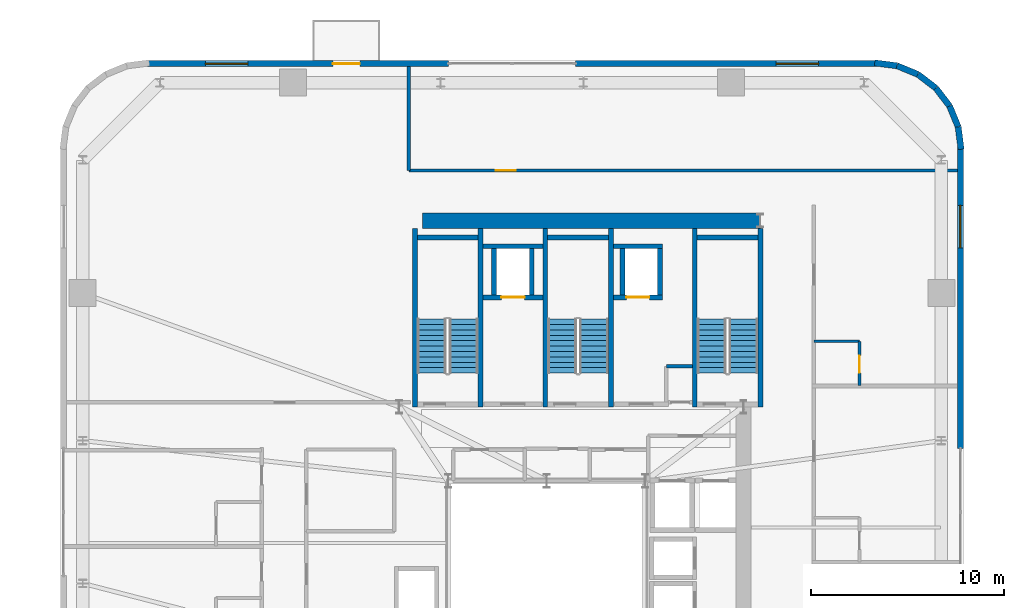
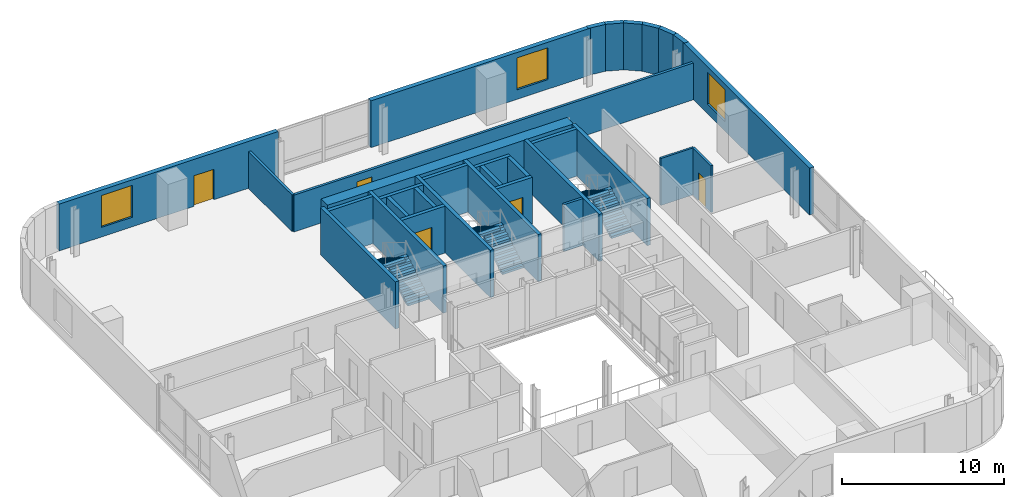
# One storey, part 11 of 15: 32 walls, 6 stair flights, 5 doors, 3 windows, 8 openings, 3 elements without a shape of their own.
"""IFC4 building model written with IfcOpenShell, lengths in metres."""

from ifc_helpers import new_model, si_unit, direction, frame, frame_2d, origin, place, context, subcontext, project, spatial, polyline, rectangle, outline, extrude, source, transform, mapped, material, layer, layer_set, type_object, element, fill, aggregate, save


model = new_model("IFC4")

# Units and contexts
model_context = context("Model", 3, precision=1e-05, world=origin(), true_north=direction((0.0, 1.0)))
body_context = subcontext(model_context, "Body", "Model", "MODEL_VIEW")
ifc_project = project(units=[si_unit("LENGTHUNIT", "METRE"), si_unit("AREAUNIT", "SQUARE_METRE"), si_unit("VOLUMEUNIT", "CUBIC_METRE"), si_unit("PLANEANGLEUNIT", "RADIAN"), si_unit("MASSUNIT", "GRAM", prefix="KILO")], contexts=[model_context])

# Site, building, storey
site_placement = place(None, origin())
site = spatial("IfcSite", under=ifc_project, at=site_placement, CompositionType="ELEMENT")
building_placement = place(site_placement, origin())
building = spatial("IfcBuilding", under=site, at=building_placement, Name="Vardaveli Station Tower", CompositionType="ELEMENT")
storey_placement = place(building_placement, frame((0.0, 0.0, 207.300048828125)))
storey = spatial("IfcBuildingStorey", under=building, at=storey_placement, Name="L53", CompositionType="ELEMENT", Elevation=207.300048828125)

# Wall
ifc_material_1 = material(Name="Concrete C50/60", Category="concrete")
ifc_layer_1 = layer(ifc_material_1, 0.800048828125, Name="Concrete C50/60")
ifc_layer_set_1 = layer_set([ifc_layer_1], Name="Concrete C50/60")
wall_type_1 = type_object("IfcWallType", Name="WAL-CORE-800", PredefinedType="SHEAR", material=ifc_layer_set_1)
shared_shape_1 = source(origin(), body_context, "Body", "SweptSolid", [
    extrude(rectangle(XDim=17.52001953125, YDim=0.800048828125, at=frame_2d((8.760009765625, 0.0))), origin(), (0.0, 0.0, 1.0), 3.530029296875),
])
wall_1_placement = place(storey_placement, frame((29.85009765625, 40.300048828125, 0.0), z_axis=(0.0, 0.0, 1.0), x_axis=(1.0, 0.0, 0.0)))
element("IfcWall", 1, at=wall_1_placement, inside=storey, type_object=wall_type_1, Name="SW-L53-NORTH", PredefinedType="SHEAR", context=body_context, shape_type="MappedRepresentation", body=[
    mapped(shared_shape_1, transform((0.0, 0.0, 0.0), scale=1.0)),
])

# Wall, opening, window
ifc_material_2 = material(Name="Precast concrete C45/55", Category="concrete")
ifc_layer_2 = layer(ifc_material_2, 0.320068359375, Name="Precast concrete C45/55")
ifc_layer_set_2 = layer_set([ifc_layer_2], Name="Precast concrete C45/55")
wall_type_2 = type_object("IfcWallType", Name="WAL-EXT-STONE-320", PredefinedType="SOLIDWALL", material=ifc_layer_set_2)
shared_shape_2 = source(origin(), body_context, "Body", "SweptSolid", [
    extrude(rectangle(XDim=15.599853515625, YDim=0.320068359375, at=frame_2d((7.7998046875, 0.0))), origin(), (0.0, 0.0, 1.0), 3.530029296875),
])
wall_2_placement = place(storey_placement, frame((53.39990234375, 48.43994140625, 0.0), z_axis=(0.0, 0.0, 1.0), x_axis=(-1.0, 0.0, 0.0)))
wall_2 = element("IfcWall", 2, at=wall_2_placement, inside=storey, type_object=wall_type_2, Name="EW-L53-N1", PredefinedType="SOLIDWALL", context=body_context, shape_type="MappedRepresentation", body=[
    mapped(shared_shape_2, transform((0.0, 0.0, 0.0), scale=1.0)),
])
shared_shape_3 = source(origin(), body_context, "Body", "SweptSolid", [
    extrude(rectangle(XDim=2.199951171875, YDim=2.39990234375, at=frame_2d((1.10009765625, 1.199951171875))), frame((0.0, 0.169921875, 0.0), z_axis=(0.0, -1.0, 0.0), x_axis=(1.0, 0.0, 0.0)), (0.0, 0.0, 1.0), 0.340087890625),
])
opening_1_placement = place(wall_2_placement, frame((3.0048828125, 0.0, 0.719970703125)))
opening_1 = element("IfcOpeningElement", 3, at=opening_1_placement, cuts=wall_2, Name="Opening W-03", PredefinedType="OPENING", context=body_context, shape_type="MappedRepresentation", body=[
    mapped(shared_shape_3, transform((0.0, 0.0, 0.0), scale=1.0)),
])
ifc_material_3 = material(Name="Low-E solar-control glass", Category="glass")
window_type = type_object("IfcWindowType", Name="WIN-LOG-2200x2400", PartitioningType="SINGLE_PANEL", PredefinedType="WINDOW", material=ifc_material_3)
shared_shape_4 = source(origin(), body_context, "Body", "SweptSolid", [
    extrude(rectangle(XDim=2.199951171875, YDim=2.39990234375, at=frame_2d((1.10009765625, 1.199951171875))), frame((0.0, 0.030029296875, 0.0), z_axis=(0.0, -1.0, 0.0), x_axis=(1.0, 0.0, 0.0)), (0.0, 0.0, 1.0), 0.06005859375),
])
window_1_placement = place(opening_1_placement, origin())
window_1 = element("IfcWindow", 4, at=window_1_placement, inside=storey, type_object=window_type, Name="WN-L53-N1", OverallHeight=2.39990234375, OverallWidth=2.199951171875, PartitioningType="SINGLE_PANEL", PredefinedType="WINDOW", context=body_context, shape_type="MappedRepresentation", body=[
    mapped(shared_shape_4, transform((0.0, 0.0, 0.0), scale=1.0)),
])
fill(opening_1, window_1)

# Wall, openings, door, window
wall_3_placement = place(storey_placement, frame((31.199951171875, 48.43994140625, 0.0), z_axis=(0.0, 0.0, 1.0), x_axis=(-1.0, 0.0, 0.0)))
wall_3 = element("IfcWall", 5, at=wall_3_placement, inside=storey, type_object=wall_type_2, Name="EW-L53-N2", PredefinedType="SOLIDWALL", context=body_context, shape_type="MappedRepresentation", body=[
    mapped(shared_shape_2, transform((0.0, 0.0, 0.0), scale=1.0)),
])
shared_shape_5 = source(origin(), body_context, "Body", "SweptSolid", [
    extrude(rectangle(XDim=1.39990234375, YDim=2.300048828125, at=frame_2d((0.699951171875, 1.14990234375))), frame((0.0, 0.169921875, 0.0), z_axis=(0.0, -1.0, 0.0), x_axis=(1.0, 0.0, 0.0)), (0.0, 0.0, 1.0), 0.340087890625),
])
opening_2_placement = place(wall_3_placement, frame((4.589599609375, 0.0, 0.0)))
opening_2 = element("IfcOpeningElement", 6, at=opening_2_placement, cuts=wall_3, Name="Opening D-09", PredefinedType="OPENING", context=body_context, shape_type="MappedRepresentation", body=[
    mapped(shared_shape_5, transform((0.0, 0.0, 0.0), scale=1.0)),
])
opening_3_placement = place(wall_3_placement, frame((10.39501953125, 0.0, 0.719970703125)))
opening_3 = element("IfcOpeningElement", 7, at=opening_3_placement, cuts=wall_3, Name="Opening W-03", PredefinedType="OPENING", context=body_context, shape_type="MappedRepresentation", body=[
    mapped(shared_shape_3, transform((0.0, 0.0, 0.0), scale=1.0)),
])
ifc_material_4 = material(Name="Thermally broken aluminium glass", Category="aluminium")
door_type_1 = type_object("IfcDoorType", Name="DR-LOG-1400x2300", OperationType="DOUBLE_DOOR_SLIDING", PredefinedType="DOOR", material=ifc_material_4)
shared_shape_6 = source(origin(), body_context, "Body", "SweptSolid", [
    extrude(rectangle(XDim=1.39990234375, YDim=2.300048828125, at=frame_2d((0.699951171875, 1.14990234375))), frame((0.0, 0.02490234375, 0.0), z_axis=(0.0, -1.0, 0.0), x_axis=(1.0, 0.0, 0.0)), (0.0, 0.0, 1.0), 0.050048828125),
])
door_1_placement = place(opening_2_placement, frame((1.39990234375, 0.0, 0.0), z_axis=(0.0, 0.0, 1.0), x_axis=(-1.0, 0.0, 0.0)))
door_1 = element("IfcDoor", 8, at=door_1_placement, inside=storey, type_object=door_type_1, Name="DLG-L53-N", OperationType="DOUBLE_DOOR_SLIDING", OverallHeight=2.300048828125, OverallWidth=1.39990234375, PredefinedType="DOOR", context=body_context, shape_type="MappedRepresentation", body=[
    mapped(shared_shape_6, transform((0.0, 0.0, 0.0), scale=1.0)),
])
fill(opening_2, door_1)
window_2_placement = place(opening_3_placement, origin())
window_2 = element("IfcWindow", 9, at=window_2_placement, inside=storey, type_object=window_type, Name="WN-L53-N2", OverallHeight=2.39990234375, OverallWidth=2.199951171875, PartitioningType="SINGLE_PANEL", PredefinedType="WINDOW", context=body_context, shape_type="MappedRepresentation", body=[
    mapped(shared_shape_4, transform((0.0, 0.0, 0.0), scale=1.0)),
])
fill(opening_3, window_2)

# Wall, opening, window
shared_shape_7 = source(origin(), body_context, "Body", "SweptSolid", [
    extrude(rectangle(XDim=15.60009765625, YDim=0.320068359375, at=frame_2d((7.800048828125, 0.0))), origin(), (0.0, 0.0, 1.0), 3.530029296875),
])
wall_4_placement = place(storey_placement, frame((57.739990234375, 28.5, 0.0), z_axis=(0.0, 0.0, 1.0), x_axis=(0.0, 1.0, 0.0)))
wall_4 = element("IfcWall", 10, at=wall_4_placement, inside=storey, type_object=wall_type_2, Name="EW-L53-E2", PredefinedType="SOLIDWALL", context=body_context, shape_type="MappedRepresentation", body=[
    mapped(shared_shape_7, transform((0.0, 0.0, 0.0), scale=1.0)),
])
opening_4_placement = place(wall_4_placement, frame((10.39501953125, 0.0, 0.719970703125)))
opening_4 = element("IfcOpeningElement", 11, at=opening_4_placement, cuts=wall_4, Name="Opening W-03", PredefinedType="OPENING", context=body_context, shape_type="MappedRepresentation", body=[
    mapped(shared_shape_3, transform((0.0, 0.0, 0.0), scale=1.0)),
])
window_3_placement = place(opening_4_placement, origin())
window_3 = element("IfcWindow", 12, at=window_3_placement, inside=storey, type_object=window_type, Name="WN-L53-E2", OverallHeight=2.39990234375, OverallWidth=2.199951171875, PartitioningType="SINGLE_PANEL", PredefinedType="WINDOW", context=body_context, shape_type="MappedRepresentation", body=[
    mapped(shared_shape_4, transform((0.0, 0.0, 0.0), scale=1.0)),
])
fill(opening_4, window_3)

# Walls
shared_shape_8 = source(origin(), body_context, "Body", "SweptSolid", [
    extrude(rectangle(XDim=1.1689453125, YDim=0.320068359375, at=frame_2d((0.58447265625, 0.0))), origin(), (0.0, 0.0, 1.0), 3.530029296875),
])
wall_5_placement = place(storey_placement, frame((57.179931640625, 46.2412109375, 0.0), z_axis=(0.0, 0.0, 1.0), x_axis=(-0.608387696831, 0.793639975269, 0.0)))
element("IfcWall", 13, at=wall_5_placement, inside=storey, type_object=wall_type_2, Name="EW-L53-CR3-3", PredefinedType="SOLIDWALL", context=body_context, shape_type="MappedRepresentation", body=[
    mapped(shared_shape_8, transform((0.0, 0.0, 0.0), scale=1.0)),
])
shared_shape_9 = source(origin(), body_context, "Body", "SweptSolid", [
    extrude(rectangle(XDim=1.168701171875, YDim=0.320068359375, at=frame_2d((0.58447265625, 0.0))), origin(), (0.0, 0.0, 1.0), 3.530029296875),
])
wall_6_placement = place(storey_placement, frame((56.46875, 47.1689453125, 0.0), z_axis=(0.0, 0.0, 1.0), x_axis=(-0.793663520347, 0.608356981114, 0.0)))
element("IfcWall", 14, at=wall_6_placement, inside=storey, type_object=wall_type_2, Name="EW-L53-CR3-4", PredefinedType="SOLIDWALL", context=body_context, shape_type="MappedRepresentation", body=[
    mapped(shared_shape_9, transform((0.0, 0.0, 0.0), scale=1.0)),
])
shared_shape_10 = source(origin(), body_context, "Body", "SweptSolid", [
    extrude(rectangle(XDim=1.17041015625, YDim=0.320068359375, at=frame_2d((0.585205078125, 0.0))), origin(), (0.0, 0.0, 1.0), 3.530029296875),
])
for number, where, z_axis, x_axis, name in (
    (15, (57.775634765625, 43.99951171875, 0.0), (0.0, 0.0, 1.0), (-0.128295670475, 0.991735963317, 0.0), "EW-L53-CR3-1"),
    (16, (54.460205078125, 48.325439453125, 0.0), (0.0, 0.0, 1.0), (-0.991735963317, 0.128295670475, 0.0), "EW-L53-CR3-6"),
):
    element("IfcWall", number, at=place(storey_placement, frame(where, z_axis=z_axis, x_axis=x_axis)), inside=storey, type_object=wall_type_2, Name=name, PredefinedType="SOLIDWALL", context=body_context, shape_type="MappedRepresentation", body=[
        mapped(shared_shape_10, transform((0.0, 0.0, 0.0), scale=1.0)),
    ])
shared_shape_11 = source(origin(), body_context, "Body", "SweptSolid", [
    extrude(rectangle(XDim=1.169189453125, YDim=0.320068359375, at=frame_2d((0.58447265625, 0.0))), origin(), (0.0, 0.0, 1.0), 3.530029296875),
])
for number, where, z_axis, x_axis, name in (
    (17, (57.62548828125, 45.16015625, 0.0), (0.0, 0.0, 1.0), (-0.381054331552, 0.924552646638, 0.0), "EW-L53-CR3-2"),
    (18, (55.541259765625, 47.8798828125, 0.0), (0.0, 0.0, 1.0), (-0.924552646638, 0.381054331552, 0.0), "EW-L53-CR3-5"),
):
    element("IfcWall", number, at=place(storey_placement, frame(where, z_axis=z_axis, x_axis=x_axis)), inside=storey, type_object=wall_type_2, Name=name, PredefinedType="SOLIDWALL", context=body_context, shape_type="MappedRepresentation", body=[
        mapped(shared_shape_11, transform((0.0, 0.0, 0.0), scale=1.0)),
    ])
ifc_material_5 = material(Name="Concrete C40/50", Category="concrete")
ifc_layer_3 = layer(ifc_material_5, 0.25, Name="Concrete C40/50")
ifc_layer_set_3 = layer_set([ifc_layer_3], Name="Concrete C40/50")
wall_type_3 = type_object("IfcWallType", Name="WAL-SHAFT-250", PredefinedType="SOLIDWALL", material=ifc_layer_set_3)
shared_shape_12 = source(origin(), body_context, "Body", "SweptSolid", [
    extrude(rectangle(XDim=9.25, YDim=0.25, at=frame_2d((4.625, 0.0))), origin(), (0.0, 0.0, 1.0), 3.550048828125),
])
for number, where, z_axis, x_axis, name in (
    (19, (29.47509765625, 30.64990234375, 0.0), (0.0, 0.0, 1.0), (0.0, 1.0, 0.0), "W-L53-ST-1W"),
    (20, (32.875, 30.64990234375, 0.0), (0.0, 0.0, 1.0), (0.0, 1.0, 0.0), "W-L53-ST-1E"),
    (21, (36.22509765625, 30.64990234375, 0.0), (0.0, 0.0, 1.0), (0.0, 1.0, 0.0), "W-L53-ST-2W"),
    (22, (39.625, 30.64990234375, 0.0), (0.0, 0.0, 1.0), (0.0, 1.0, 0.0), "W-L53-ST-2E"),
    (23, (43.97509765625, 30.64990234375, 0.0), (0.0, 0.0, 1.0), (0.0, 1.0, 0.0), "W-L53-ST-3W"),
    (24, (47.375, 30.64990234375, 0.0), (0.0, 0.0, 1.0), (0.0, 1.0, 0.0), "W-L53-ST-3E"),
):
    element("IfcWall", number, at=place(storey_placement, frame(where, z_axis=z_axis, x_axis=x_axis)), inside=storey, type_object=wall_type_3, Name=name, PredefinedType="SOLIDWALL", context=body_context, shape_type="MappedRepresentation", body=[
        mapped(shared_shape_12, transform((0.0, 0.0, 0.0), scale=1.0)),
    ])
shared_shape_13 = source(origin(), body_context, "Body", "SweptSolid", [
    extrude(rectangle(XDim=3.14990234375, YDim=0.25, at=frame_2d((1.574951171875, 0.0))), origin(), (0.0, 0.0, 1.0), 3.550048828125),
])
for number, where, z_axis, x_axis, name in (
    (25, (29.60009765625, 39.425048828125, 0.0), (0.0, 0.0, 1.0), (1.0, 0.0, 0.0), "W-L53-ST-1N"),
    (26, (36.35009765625, 39.425048828125, 0.0), (0.0, 0.0, 1.0), (1.0, 0.0, 0.0), "W-L53-ST-2N"),
    (27, (44.10009765625, 39.425048828125, 0.0), (0.0, 0.0, 1.0), (1.0, 0.0, 0.0), "W-L53-ST-3N"),
):
    element("IfcWall", number, at=place(storey_placement, frame(where, z_axis=z_axis, x_axis=x_axis)), inside=storey, type_object=wall_type_3, Name=name, PredefinedType="SOLIDWALL", context=body_context, shape_type="MappedRepresentation", body=[
        mapped(shared_shape_13, transform((0.0, 0.0, 0.0), scale=1.0)),
    ])

# Wall, opening, door
shared_shape_14 = source(origin(), body_context, "Body", "SweptSolid", [
    extrude(rectangle(XDim=3.10009765625, YDim=0.25, at=frame_2d((1.550048828125, 0.0))), origin(), (0.0, 0.0, 1.0), 3.530029296875),
])
wall_7_placement = place(storey_placement, frame((33.0, 36.324951171875, 0.0), z_axis=(0.0, 0.0, 1.0), x_axis=(1.0, 0.0, 0.0)))
wall_7 = element("IfcWall", 28, at=wall_7_placement, inside=storey, type_object=wall_type_3, Name="SHW-FFL-01-L53-S", PredefinedType="SOLIDWALL", context=body_context, shape_type="MappedRepresentation", body=[
    mapped(shared_shape_14, transform((0.0, 0.0, 0.0), scale=1.0)),
])
shared_shape_15 = source(origin(), body_context, "Body", "SweptSolid", [
    extrude(rectangle(XDim=1.199951171875, YDim=2.25, at=frame_2d((0.60009765625, 1.125))), frame((0.0, 0.135009765625, 0.0), z_axis=(0.0, -1.0, 0.0), x_axis=(1.0, 0.0, 0.0)), (0.0, 0.0, 1.0), 0.27001953125),
])
opening_5_placement = place(wall_7_placement, frame((0.949951171875, 0.0, 0.0)))
opening_5 = element("IfcOpeningElement", 29, at=opening_5_placement, cuts=wall_7, Name="Opening LD-02", PredefinedType="OPENING", context=body_context, shape_type="MappedRepresentation", body=[
    mapped(shared_shape_15, transform((0.0, 0.0, 0.0), scale=1.0)),
])
ifc_material_6 = material(Name="Brushed stainless steel", Category="steel")
door_type_2 = type_object("IfcDoorType", Name="DR-LD-1200x2250", OperationType="DOUBLE_DOOR_SLIDING", PredefinedType="DOOR", material=ifc_material_6)
shared_shape_16 = source(origin(), body_context, "Body", "SweptSolid", [
    extrude(rectangle(XDim=1.199951171875, YDim=2.25, at=frame_2d((0.60009765625, 1.125))), frame((0.0, 0.02490234375, 0.0), z_axis=(0.0, -1.0, 0.0), x_axis=(1.0, 0.0, 0.0)), (0.0, 0.0, 1.0), 0.050048828125),
])
door_2_placement = place(opening_5_placement, origin())
door_2 = element("IfcDoor", 30, at=door_2_placement, inside=storey, type_object=door_type_2, Name="LD-FFL-01-L53", OperationType="DOUBLE_DOOR_SLIDING", OverallHeight=2.25, OverallWidth=1.199951171875, PredefinedType="DOOR", context=body_context, shape_type="MappedRepresentation", body=[
    mapped(shared_shape_16, transform((0.0, 0.0, 0.0), scale=1.0)),
])
fill(opening_5, door_2)

# Walls
wall_8_placement = place(storey_placement, frame((33.0, 38.97509765625, 0.0), z_axis=(0.0, 0.0, 1.0), x_axis=(1.0, 0.0, 0.0)))
element("IfcWall", 31, at=wall_8_placement, inside=storey, type_object=wall_type_3, Name="SHW-FFL-01-L53-N", PredefinedType="SOLIDWALL", context=body_context, shape_type="MappedRepresentation", body=[
    mapped(shared_shape_14, transform((0.0, 0.0, 0.0), scale=1.0)),
])
shared_shape_17 = source(origin(), body_context, "Body", "SweptSolid", [
    extrude(rectangle(XDim=2.400146484375, YDim=0.25, at=frame_2d((1.2001953125, 0.0))), origin(), (0.0, 0.0, 1.0), 3.530029296875),
])
for number, where, z_axis, x_axis, name in (
    (32, (33.574951171875, 36.449951171875, 0.0), (0.0, 0.0, 1.0), (0.0, 1.0, 0.0), "SHW-FFL-01-L53-W"),
    (33, (35.52490234375, 36.449951171875, 0.0), (0.0, 0.0, 1.0), (0.0, 1.0, 0.0), "SHW-FFL-01-L53-E"),
    (34, (40.22509765625, 36.449951171875, 0.0), (0.0, 0.0, 1.0), (0.0, 1.0, 0.0), "SHW-FFL-02-L53-W"),
    (35, (42.175048828125, 36.449951171875, 0.0), (0.0, 0.0, 1.0), (0.0, 1.0, 0.0), "SHW-FFL-02-L53-E"),
):
    element("IfcWall", number, at=place(storey_placement, frame(where, z_axis=z_axis, x_axis=x_axis)), inside=storey, type_object=wall_type_3, Name=name, PredefinedType="SOLIDWALL", context=body_context, shape_type="MappedRepresentation", body=[
        mapped(shared_shape_17, transform((0.0, 0.0, 0.0), scale=1.0)),
    ])

# Wall, opening, door
shared_shape_18 = source(origin(), body_context, "Body", "SweptSolid", [
    extrude(rectangle(XDim=2.550048828125, YDim=0.25, at=frame_2d((1.27490234375, 0.0))), origin(), (0.0, 0.0, 1.0), 3.530029296875),
])
wall_9_placement = place(storey_placement, frame((39.75, 36.324951171875, 0.0), z_axis=(0.0, 0.0, 1.0), x_axis=(1.0, 0.0, 0.0)))
wall_9 = element("IfcWall", 36, at=wall_9_placement, inside=storey, type_object=wall_type_3, Name="SHW-FFL-02-L53-S", PredefinedType="SOLIDWALL", context=body_context, shape_type="MappedRepresentation", body=[
    mapped(shared_shape_18, transform((0.0, 0.0, 0.0), scale=1.0)),
])
opening_6_placement = place(wall_9_placement, frame((0.675048828125, 0.0, 0.0)))
opening_6 = element("IfcOpeningElement", 37, at=opening_6_placement, cuts=wall_9, Name="Opening LD-02", PredefinedType="OPENING", context=body_context, shape_type="MappedRepresentation", body=[
    mapped(shared_shape_15, transform((0.0, 0.0, 0.0), scale=1.0)),
])
door_3_placement = place(opening_6_placement, origin())
door_3 = element("IfcDoor", 38, at=door_3_placement, inside=storey, type_object=door_type_2, Name="LD-FFL-02-L53", OperationType="DOUBLE_DOOR_SLIDING", OverallHeight=2.25, OverallWidth=1.199951171875, PredefinedType="DOOR", context=body_context, shape_type="MappedRepresentation", body=[
    mapped(shared_shape_16, transform((0.0, 0.0, 0.0), scale=1.0)),
])
fill(opening_6, door_3)

# Wall
wall_10_placement = place(storey_placement, frame((39.75, 38.97509765625, 0.0), z_axis=(0.0, 0.0, 1.0), x_axis=(1.0, 0.0, 0.0)))
element("IfcWall", 39, at=wall_10_placement, inside=storey, type_object=wall_type_3, Name="SHW-FFL-02-L53-N", PredefinedType="SOLIDWALL", context=body_context, shape_type="MappedRepresentation", body=[
    mapped(shared_shape_18, transform((0.0, 0.0, 0.0), scale=1.0)),
])

# Wall, opening, door
ifc_material_7 = material(Name="Fire-rated gypsum stud partition")
ifc_layer_4 = layer(ifc_material_7, 0.179931640625, Name="Fire-rated gypsum stud partition")
ifc_layer_set_4 = layer_set([ifc_layer_4], Name="Fire-rated gypsum stud partition")
wall_type_4 = type_object("IfcWallType", Name="WAL-CORR-180", PredefinedType="PARTITIONING", material=ifc_layer_set_4)
shared_shape_19 = source(origin(), body_context, "Body", "SweptSolid", [
    extrude(rectangle(XDim=28.427978515625, YDim=0.179931640625, at=frame_2d((14.2138671875, 0.0))), origin(), (0.0, 0.0, 1.0), 2.77197265625),
])
wall_11_placement = place(storey_placement, frame((29.14990234375, 42.89990234375, 0.0), z_axis=(0.0, 0.0, 1.0), x_axis=(1.0, 0.0, 0.0)))
wall_11 = element("IfcWall", 40, at=wall_11_placement, inside=storey, type_object=wall_type_4, Name="W-L53-NPS", PredefinedType="PARTITIONING", context=body_context, shape_type="MappedRepresentation", body=[
    mapped(shared_shape_19, transform((0.0, 0.0, 0.0), scale=1.0)),
])
shared_shape_20 = source(origin(), body_context, "Body", "SweptSolid", [
    extrude(rectangle(XDim=1.050048828125, YDim=2.199951171875, at=frame_2d((0.52490234375, 1.10009765625))), frame((0.0, 0.10009765625, 0.0), z_axis=(0.0, -1.0, 0.0), x_axis=(1.0, 0.0, 0.0)), (0.0, 0.0, 1.0), 0.199951171875),
])
opening_7_placement = place(wall_11_placement, frame((4.5, 0.0, 0.0)))
opening_7 = element("IfcOpeningElement", 41, at=opening_7_placement, cuts=wall_11, Name="Opening D-05", PredefinedType="OPENING", context=body_context, shape_type="MappedRepresentation", body=[
    mapped(shared_shape_20, transform((0.0, 0.0, 0.0), scale=1.0)),
])
ifc_material_8 = material(Name="Walnut veneer acoustic fire door")
door_type_3 = type_object("IfcDoorType", Name="DR-SUITE-1050x2200", OperationType="NOTDEFINED", PredefinedType="DOOR", material=ifc_material_8)
shared_shape_21 = source(origin(), body_context, "Body", "SweptSolid", [
    extrude(rectangle(XDim=1.050048828125, YDim=2.199951171875, at=frame_2d((0.52490234375, 1.10009765625))), frame((0.0, 0.02490234375, 0.0), z_axis=(0.0, -1.0, 0.0), x_axis=(1.0, 0.0, 0.0)), (0.0, 0.0, 1.0), 0.050048828125),
])
door_4_placement = place(opening_7_placement, origin())
door_4 = element("IfcDoor", 42, at=door_4_placement, inside=storey, type_object=door_type_3, Name="D-L53-NP1", OperationType="SINGLE_SWING_LEFT", OverallHeight=2.199951171875, OverallWidth=1.050048828125, PredefinedType="DOOR", context=body_context, shape_type="MappedRepresentation", body=[
    mapped(shared_shape_21, transform((0.0, 0.0, 0.0), scale=1.0)),
])
fill(opening_7, door_4)

# Walls
shared_shape_22 = source(origin(), body_context, "Body", "SweptSolid", [
    extrude(rectangle(XDim=5.378173828125, YDim=0.179931640625, at=frame_2d((2.68896484375, 0.0))), origin(), (0.0, 0.0, 1.0), 2.77197265625),
])
wall_12_placement = place(storey_placement, frame((29.14990234375, 42.89990234375, 0.0), z_axis=(0.0, 0.0, 1.0), x_axis=(0.0, 1.0, 0.0)))
element("IfcWall", 43, at=wall_12_placement, inside=storey, type_object=wall_type_4, Name="W-L53-NPW", PredefinedType="PARTITIONING", context=body_context, shape_type="MappedRepresentation", body=[
    mapped(shared_shape_22, transform((0.0, 0.0, 0.0), scale=1.0)),
])
ifc_material_9 = material(Name="Moisture-resistant stud partition")
ifc_layer_5 = layer(ifc_material_9, 0.14990234375, Name="Moisture-resistant stud partition")
ifc_layer_set_5 = layer_set([ifc_layer_5], Name="Moisture-resistant stud partition")
wall_type_5 = type_object("IfcWallType", Name="WAL-WET-150", PredefinedType="PARTITIONING", material=ifc_layer_set_5)
shared_shape_23 = source(origin(), body_context, "Body", "SweptSolid", [
    extrude(rectangle(XDim=2.360107421875, YDim=0.14990234375, at=frame_2d((1.18017578125, 0.0))), origin(), (0.0, 0.0, 1.0), 3.530029296875),
])
wall_13_placement = place(storey_placement, frame((50.14990234375, 34.047119140625, 0.0), z_axis=(0.0, 0.0, 1.0), x_axis=(1.0, 0.0, 0.0)))
element("IfcWall", 44, at=wall_13_placement, inside=storey, type_object=wall_type_5, Name="W-L53-BE3-N", PredefinedType="PARTITIONING", context=body_context, shape_type="MappedRepresentation", body=[
    mapped(shared_shape_23, transform((0.0, 0.0, 0.0), scale=1.0)),
])
shared_shape_24 = source(origin(), body_context, "Body", "SweptSolid", [
    extrude(rectangle(XDim=1.347900390625, YDim=0.179931640625, at=frame_2d((0.673828125, 0.0))), origin(), (0.0, 0.0, 1.0), 3.530029296875),
])
wall_14_placement = place(storey_placement, frame((42.5, 32.75, 0.0), z_axis=(0.0, 0.0, 1.0), x_axis=(1.0, 0.0, 0.0)))
element("IfcWall", 45, at=wall_14_placement, inside=storey, type_object=wall_type_4, Name="W-L53-CBS2A-N", PredefinedType="PARTITIONING", context=body_context, shape_type="MappedRepresentation", body=[
    mapped(shared_shape_24, transform((0.0, 0.0, 0.0), scale=1.0)),
])

# Wall, opening, door
shared_shape_25 = source(origin(), body_context, "Body", "SweptSolid", [
    extrude(rectangle(XDim=2.2900390625, YDim=0.14990234375, at=frame_2d((1.14501953125, 0.0))), origin(), (0.0, 0.0, 1.0), 3.530029296875),
])
wall_15_placement = place(storey_placement, frame((52.510009765625, 31.757080078125, 0.0), z_axis=(0.0, 0.0, 1.0), x_axis=(0.0, 1.0, 0.0)))
wall_15 = element("IfcWall", 46, at=wall_15_placement, inside=storey, type_object=wall_type_5, Name="W-L53-BE3-E", PredefinedType="PARTITIONING", context=body_context, shape_type="MappedRepresentation", body=[
    mapped(shared_shape_25, transform((0.0, 0.0, 0.0), scale=1.0)),
])
shared_shape_26 = source(origin(), body_context, "Body", "SweptSolid", [
    extrude(rectangle(XDim=0.89990234375, YDim=2.10009765625, at=frame_2d((0.449951171875, 1.050048828125))), frame((0.0, 0.0849609375, 0.0), z_axis=(0.0, -1.0, 0.0), x_axis=(1.0, 0.0, 0.0)), (0.0, 0.0, 1.0), 0.169921875),
])
opening_8_placement = place(wall_15_placement, frame((0.64990234375, 0.0, 0.0)))
opening_8 = element("IfcOpeningElement", 47, at=opening_8_placement, cuts=wall_15, Name="Opening D-08", PredefinedType="OPENING", context=body_context, shape_type="MappedRepresentation", body=[
    mapped(shared_shape_26, transform((0.0, 0.0, 0.0), scale=1.0)),
])
ifc_material_10 = material(Name="Moisture-resistant oak door")
door_type_4 = type_object("IfcDoorType", Name="DR-BATH-900x2100", OperationType="NOTDEFINED", PredefinedType="DOOR", material=ifc_material_10)
shared_shape_27 = source(origin(), body_context, "Body", "SweptSolid", [
    extrude(rectangle(XDim=0.89990234375, YDim=2.10009765625, at=frame_2d((0.449951171875, 1.050048828125))), frame((0.0, 0.02490234375, 0.0), z_axis=(0.0, -1.0, 0.0), x_axis=(1.0, 0.0, 0.0)), (0.0, 0.0, 1.0), 0.050048828125),
])
door_5_placement = place(opening_8_placement, origin())
door_5 = element("IfcDoor", 48, at=door_5_placement, inside=storey, type_object=door_type_4, Name="D-L53-BE3", OperationType="SINGLE_SWING_RIGHT", OverallHeight=2.10009765625, OverallWidth=0.89990234375, PredefinedType="DOOR", context=body_context, shape_type="MappedRepresentation", body=[
    mapped(shared_shape_27, transform((0.0, 0.0, 0.0), scale=1.0)),
])
fill(opening_8, door_5)

# Stair, stair flights
stair_type = type_object("IfcStairType", Name="STR-CORE-1500", PredefinedType="HALF_TURN_STAIR", material=ifc_material_5)
stair_1_placement = place(storey_placement, origin())
stair_1 = element("IfcStair", 49, at=stair_1_placement, inside=storey, type_object=stair_type, Name="L53 ST-1", PredefinedType="HALF_TURN_STAIR")
stair_flight_type = type_object("IfcStairFlightType", Name="SFL-CORE-1500", PredefinedType="STRAIGHT", material=ifc_material_5)
shared_shape_28 = source(origin(), body_context, "Body", "SweptSolid", [
    extrude(outline(polyline([(0.0, 0.0), (0.0, 0.17041015625), (0.280029296875, 0.17041015625), (0.280029296875, 0.3408203125), (0.56005859375, 0.3408203125), (0.56005859375, 0.511474609375), (0.840087890625, 0.511474609375), (0.840087890625, 0.681884765625), (1.1201171875, 0.681884765625), (1.1201171875, 0.852294921875), (1.39990234375, 0.852294921875), (1.39990234375, 1.022705078125), (1.679931640625, 1.022705078125), (1.679931640625, 1.193115234375), (1.9599609375, 1.193115234375), (1.9599609375, 1.363525390625), (2.239990234375, 1.363525390625), (2.239990234375, 1.5341796875), (2.52001953125, 1.5341796875), (2.52001953125, 1.70458984375), (2.800048828125, 1.70458984375), (2.800048828125, 1.875), (2.800048828125, 1.529052734375), (0.288330078125, 0.0), (0.0, 0.0)])), frame((0.0, 0.75, 0.0), z_axis=(0.0, -1.0, 0.0), x_axis=(1.0, 0.0, 0.0)), (0.0, 0.0, 1.0), 1.5),
])
stair_flight_1_placement = place(storey_placement, frame((32.0, 32.39990234375, 0.0), z_axis=(0.0, 0.0, 1.0), x_axis=(0.0, 1.0, 0.0)))
stair_flight_1 = element("IfcStairFlight", 50, at=stair_flight_1_placement, type_object=stair_flight_type, Name="ST-1 flight 1", NumberOfRisers=11, NumberOfTreads=10, PredefinedType="STRAIGHT", RiserHeight=0.170454545, TreadLength=0.28, context=body_context, shape_type="MappedRepresentation", body=[
    mapped(shared_shape_28, transform((0.0, 0.0, 0.0), scale=1.0)),
])
stair_flight_2_placement = place(storey_placement, frame((30.35009765625, 35.199951171875, 1.875), z_axis=(0.0, 0.0, 1.0), x_axis=(0.0, -1.0, 0.0)))
stair_flight_2 = element("IfcStairFlight", 51, at=stair_flight_2_placement, type_object=stair_flight_type, Name="ST-1 flight 2", NumberOfRisers=11, NumberOfTreads=10, PredefinedType="STRAIGHT", RiserHeight=0.170454545, TreadLength=0.28, context=body_context, shape_type="MappedRepresentation", body=[
    mapped(shared_shape_28, transform((0.0, 0.0, 0.0), scale=1.0)),
])
aggregate(stair_1, [stair_flight_1, stair_flight_2])

stair_2_placement = place(storey_placement, origin())
stair_2 = element("IfcStair", 52, at=stair_2_placement, inside=storey, type_object=stair_type, Name="L53 ST-2", PredefinedType="HALF_TURN_STAIR")
stair_flight_3_placement = place(storey_placement, frame((38.75, 32.39990234375, 0.0), z_axis=(0.0, 0.0, 1.0), x_axis=(0.0, 1.0, 0.0)))
stair_flight_3 = element("IfcStairFlight", 53, at=stair_flight_3_placement, type_object=stair_flight_type, Name="ST-2 flight 1", NumberOfRisers=11, NumberOfTreads=10, PredefinedType="STRAIGHT", RiserHeight=0.170454545, TreadLength=0.28, context=body_context, shape_type="MappedRepresentation", body=[
    mapped(shared_shape_28, transform((0.0, 0.0, 0.0), scale=1.0)),
])
stair_flight_4_placement = place(storey_placement, frame((37.10009765625, 35.199951171875, 1.875), z_axis=(0.0, 0.0, 1.0), x_axis=(0.0, -1.0, 0.0)))
stair_flight_4 = element("IfcStairFlight", 54, at=stair_flight_4_placement, type_object=stair_flight_type, Name="ST-2 flight 2", NumberOfRisers=11, NumberOfTreads=10, PredefinedType="STRAIGHT", RiserHeight=0.170454545, TreadLength=0.28, context=body_context, shape_type="MappedRepresentation", body=[
    mapped(shared_shape_28, transform((0.0, 0.0, 0.0), scale=1.0)),
])
aggregate(stair_2, [stair_flight_3, stair_flight_4])

stair_3_placement = place(storey_placement, origin())
stair_3 = element("IfcStair", 55, at=stair_3_placement, inside=storey, type_object=stair_type, Name="L53 ST-3", PredefinedType="HALF_TURN_STAIR")
stair_flight_5_placement = place(storey_placement, frame((46.5, 32.39990234375, 0.0), z_axis=(0.0, 0.0, 1.0), x_axis=(0.0, 1.0, 0.0)))
stair_flight_5 = element("IfcStairFlight", 56, at=stair_flight_5_placement, type_object=stair_flight_type, Name="ST-3 flight 1", NumberOfRisers=11, NumberOfTreads=10, PredefinedType="STRAIGHT", RiserHeight=0.170454545, TreadLength=0.28, context=body_context, shape_type="MappedRepresentation", body=[
    mapped(shared_shape_28, transform((0.0, 0.0, 0.0), scale=1.0)),
])
stair_flight_6_placement = place(storey_placement, frame((44.85009765625, 35.199951171875, 1.875), z_axis=(0.0, 0.0, 1.0), x_axis=(0.0, -1.0, 0.0)))
stair_flight_6 = element("IfcStairFlight", 57, at=stair_flight_6_placement, type_object=stair_flight_type, Name="ST-3 flight 2", NumberOfRisers=11, NumberOfTreads=10, PredefinedType="STRAIGHT", RiserHeight=0.170454545, TreadLength=0.28, context=body_context, shape_type="MappedRepresentation", body=[
    mapped(shared_shape_28, transform((0.0, 0.0, 0.0), scale=1.0)),
])
aggregate(stair_3, [stair_flight_5, stair_flight_6])

save(model, "model.ifc")
